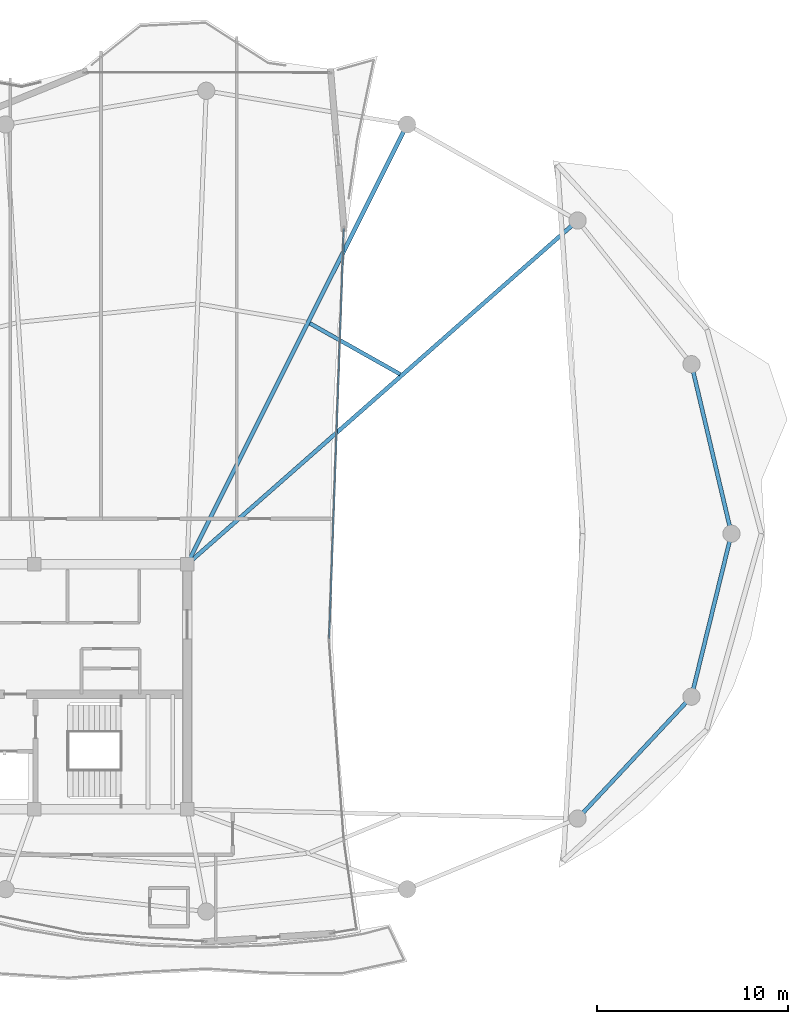
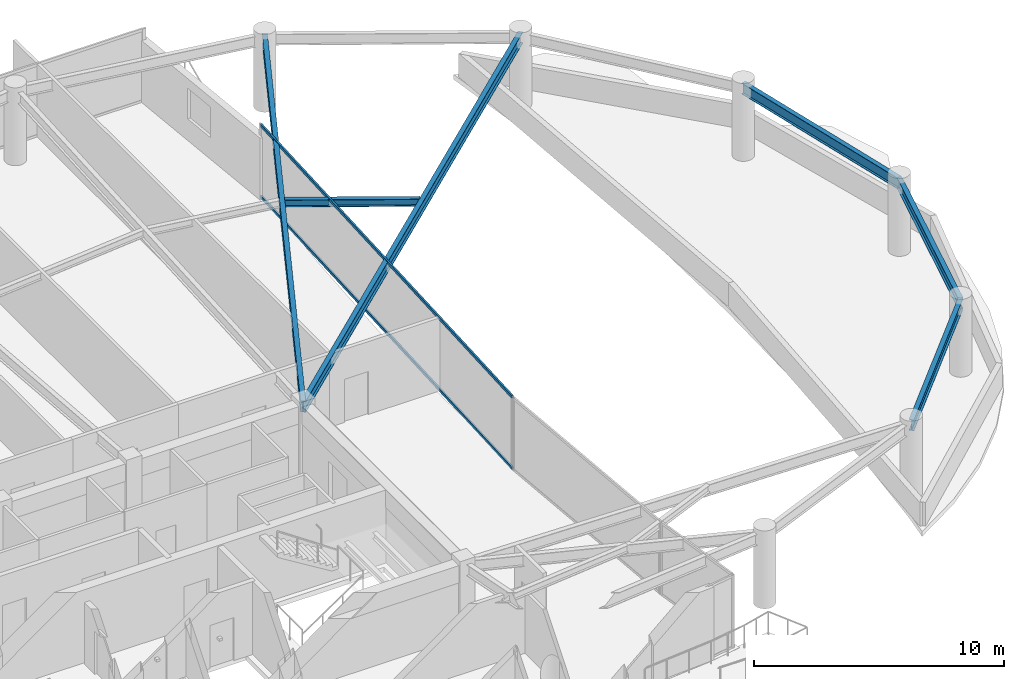
# One storey, part 13 of 23: 6 beams, 2 members, 1 element without a shape of its own.
"""IFC4 building model written with IfcOpenShell, lengths in metres."""

from ifc_helpers import new_model, si_unit, direction, frame, origin, origin_2d, place, context, subcontext, project, spatial, hollow_rectangle, i_section, extrude, material, layer, layer_set, material_profile, profile_set, type_object, element, aggregate, save


model = new_model("IFC4")

# Units and contexts
model_context = context("Model", 3, precision=1e-05, world=origin(), true_north=direction((0.0, 1.0)))
body_context = subcontext(model_context, "Body", "Model", "MODEL_VIEW")
ifc_project = project(units=[si_unit("LENGTHUNIT", "METRE"), si_unit("AREAUNIT", "SQUARE_METRE"), si_unit("VOLUMEUNIT", "CUBIC_METRE"), si_unit("PLANEANGLEUNIT", "RADIAN"), si_unit("MASSUNIT", "GRAM", prefix="KILO")], contexts=[model_context])

# Site, building, storey
site_placement = place(None, origin())
site = spatial("IfcSite", under=ifc_project, at=site_placement, CompositionType="ELEMENT")
building_placement = place(site_placement, origin())
building = spatial("IfcBuilding", under=site, at=building_placement, Name="Kazevale Care Tower and Concert Hall", CompositionType="ELEMENT")
storey_placement = place(building_placement, frame((0.0, 0.0, 266.199951171875)))
storey = spatial("IfcBuildingStorey", under=building, at=storey_placement, Name="L70", CompositionType="ELEMENT", Elevation=266.199951171875)

# Curtain wall, members
ifc_material_1 = material(Name="Aluminium 6063-T6 and Low-E Glass", Category="aluminium")
ifc_layer = layer(ifc_material_1, 0.179931640625)
ifc_layer_set = layer_set([ifc_layer], Name="Aluminium 6063-T6 and Low-E Glass")
curtain_wall_type = type_object("IfcCurtainWallType", Name="Waist & Upper Residential Curtain Wall CW-4", PredefinedType="NOTDEFINED", material=ifc_layer_set)
curtain_wall_placement = place(storey_placement, origin())
curtain_wall = element("IfcCurtainWall", 1, at=curtain_wall_placement, inside=storey, type_object=curtain_wall_type, Name="cw:L70:f14", PredefinedType="NOTDEFINED")
ifc_material_2 = material(Name="Aluminium 6063-T6", Category="aluminium")
ifc_material_profile_1 = material_profile(ifc_material_2, hollow_rectangle(XDim=0.080078125, YDim=0.139892578125, WallThickness=0.00390625, at=origin_2d()), Name="ALU80x140x4")
ifc_profile_set_1 = profile_set([ifc_material_profile_1], Name="Aluminium 6063-T6")
member_type = type_object("IfcMemberType", Name="CW-4 Transom ALU80x140x4", PredefinedType="USERDEFINED", material=ifc_profile_set_1)
member_1_placement = place(storey_placement, frame((52.189208984375, 53.941162109375, 0.0400390625), z_axis=(-0.035793081067, -0.999359222376, 0.0), x_axis=(0.999359222376, -0.035793081067, 0.0)))
member_1 = element("IfcMember", 2, at=member_1_placement, type_object=member_type, Name="CW-4 transom 1.1", ObjectType="TRANSOM", PredefinedType="USERDEFINED", context=body_context, shape_type="SweptSolid", body=[
    extrude(hollow_rectangle(XDim=0.080078125, YDim=0.139892578125, WallThickness=0.00390625, at=origin_2d()), origin(), (0.0, 0.0, 1.0), 21.43798828125),
])
member_2_placement = place(storey_placement, frame((52.189208984375, 53.941162109375, 3.52001953125), z_axis=(-0.035793081067, -0.999359222376, 0.0), x_axis=(0.999359222376, -0.035793081067, 0.0)))
member_2 = element("IfcMember", 3, at=member_2_placement, type_object=member_type, Name="CW-4 transom 1.2", ObjectType="TRANSOM", PredefinedType="USERDEFINED", context=body_context, shape_type="SweptSolid", body=[
    extrude(hollow_rectangle(XDim=0.080078125, YDim=0.139892578125, WallThickness=0.00390625, at=origin_2d()), origin(), (0.0, 0.0, 1.0), 21.43798828125),
])
aggregate(curtain_wall, [member_1, member_2])

# Beams
ifc_material_3 = material(Name="Steel ASTM A572 Gr 50", Category="steel")
ifc_material_profile_2 = material_profile(ifc_material_3, i_section(OverallWidth=0.2119140625, OverallDepth=0.5439453125, WebThickness=0.01318359375, FlangeThickness=0.021240234375, at=origin_2d()), Name="W530x123")
ifc_profile_set_2 = profile_set([ifc_material_profile_2], Name="Steel ASTM A572 Gr 50")
beam_type_1 = type_object("IfcBeamType", Name="Radial Floor Girder W530x123", PredefinedType="BEAM", material=ifc_profile_set_2)
beam_1_placement = place(storey_placement, frame((44.0, 36.39990234375, 3.2880859375), z_axis=(0.750540377871, 0.660824591844, 0.0), x_axis=(-0.660824591844, 0.750540377871, 0.0)))
element("IfcBeam", 4, at=beam_1_placement, inside=storey, type_object=beam_type_1, Name="beam:L70:rad:03", PredefinedType="BEAM", context=body_context, shape_type="SweptSolid", body=[
    extrude(i_section(OverallWidth=0.2119140625, OverallDepth=0.5439453125, WebThickness=0.01318359375, FlangeThickness=0.021240234375, at=origin_2d()), origin(), (0.0, 0.0, 1.0), 27.193603515625),
])
beam_2_placement = place(storey_placement, frame((44.0, 36.39990234375, 3.2880859375), z_axis=(0.447369347408, 0.894349298093, 0.0), x_axis=(-0.894349298093, 0.447369347408, 0.0)))
element("IfcBeam", 5, at=beam_2_placement, inside=storey, type_object=beam_type_1, Name="beam:L70:rad:04", PredefinedType="BEAM", context=body_context, shape_type="SweptSolid", body=[
    extrude(i_section(OverallWidth=0.2119140625, OverallDepth=0.5439453125, WebThickness=0.01318359375, FlangeThickness=0.021240234375, at=origin_2d()), origin(), (0.0, 0.0, 1.0), 25.705810546875),
])
ifc_material_profile_3 = material_profile(ifc_material_3, i_section(OverallWidth=0.205078125, OverallDepth=0.35400390625, WebThickness=0.009521484375, FlangeThickness=0.016845703125, at=origin_2d()), Name="W360x79")
ifc_profile_set_3 = profile_set([ifc_material_profile_3], Name="Steel ASTM A572 Gr 50")
beam_type_2 = type_object("IfcBeamType", Name="Secondary Floor Joist W360x79", PredefinedType="JOIST", material=ifc_profile_set_3)
beam_3_placement = place(storey_placement, frame((55.134033203125, 46.3349609375, 3.383056640625), z_axis=(-0.871253873352, 0.490832647823, 0.0), x_axis=(-0.490832647823, -0.871253873352, 0.0)))
element("IfcBeam", 6, at=beam_3_placement, inside=storey, type_object=beam_type_2, Name="beam:L70:joist:03", PredefinedType="JOIST", context=body_context, shape_type="SweptSolid", body=[
    extrude(i_section(OverallWidth=0.205078125, OverallDepth=0.35400390625, WebThickness=0.009521484375, FlangeThickness=0.016845703125, at=origin_2d()), origin(), (0.0, 0.0, 1.0), 5.415283203125),
])
ifc_material_profile_4 = material_profile(ifc_material_3, i_section(OverallWidth=0.208984375, OverallDepth=0.532958984375, WebThickness=0.01025390625, FlangeThickness=0.015625, at=origin_2d()), Name="W530x92")
ifc_profile_set_4 = profile_set([ifc_material_profile_4], Name="Steel ASTM A572 Gr 50")
beam_type_3 = type_object("IfcBeamType", Name="Upper Ring Beam W530x92", PredefinedType="BEAM", material=ifc_profile_set_4)
beam_4_placement = place(storey_placement, frame((72.449951171875, 38.0, 3.29345703125), z_axis=(-0.229571460706, 0.973291808467, 0.0), x_axis=(-0.973291808467, -0.229571460706, 0.0)))
element("IfcBeam", 7, at=beam_4_placement, inside=storey, type_object=beam_type_3, Name="beam:L70:ring:01", PredefinedType="BEAM", context=body_context, shape_type="SweptSolid", body=[
    extrude(i_section(OverallWidth=0.208984375, OverallDepth=0.532958984375, WebThickness=0.01025390625, FlangeThickness=0.015625, at=origin_2d()), origin(), (0.0, 0.0, 1.0), 9.103271484375),
])
beam_5_placement = place(storey_placement, frame((64.409912109375, 23.110107421875, 3.29345703125), z_axis=(0.682623556843, 0.730770196192, 0.0), x_axis=(-0.730770196192, 0.682623556843, 0.0)))
element("IfcBeam", 8, at=beam_5_placement, inside=storey, type_object=beam_type_3, Name="beam:L70:ring:15", PredefinedType="BEAM", context=body_context, shape_type="SweptSolid", body=[
    extrude(i_section(OverallWidth=0.208984375, OverallDepth=0.532958984375, WebThickness=0.01025390625, FlangeThickness=0.015625, at=origin_2d()), origin(), (0.0, 0.0, 1.0), 8.716552734375),
])
beam_6_placement = place(storey_placement, frame((70.360107421875, 29.47998046875, 3.29345703125), z_axis=(0.238224499566, 0.971210115169, 0.0), x_axis=(-0.971210115169, 0.238224499566, 0.0)))
element("IfcBeam", 9, at=beam_6_placement, inside=storey, type_object=beam_type_3, Name="beam:L70:ring:16", PredefinedType="BEAM", context=body_context, shape_type="SweptSolid", body=[
    extrude(i_section(OverallWidth=0.208984375, OverallDepth=0.532958984375, WebThickness=0.01025390625, FlangeThickness=0.015625, at=origin_2d()), origin(), (0.0, 0.0, 1.0), 8.7724609375),
])

save(model, "model.ifc")
